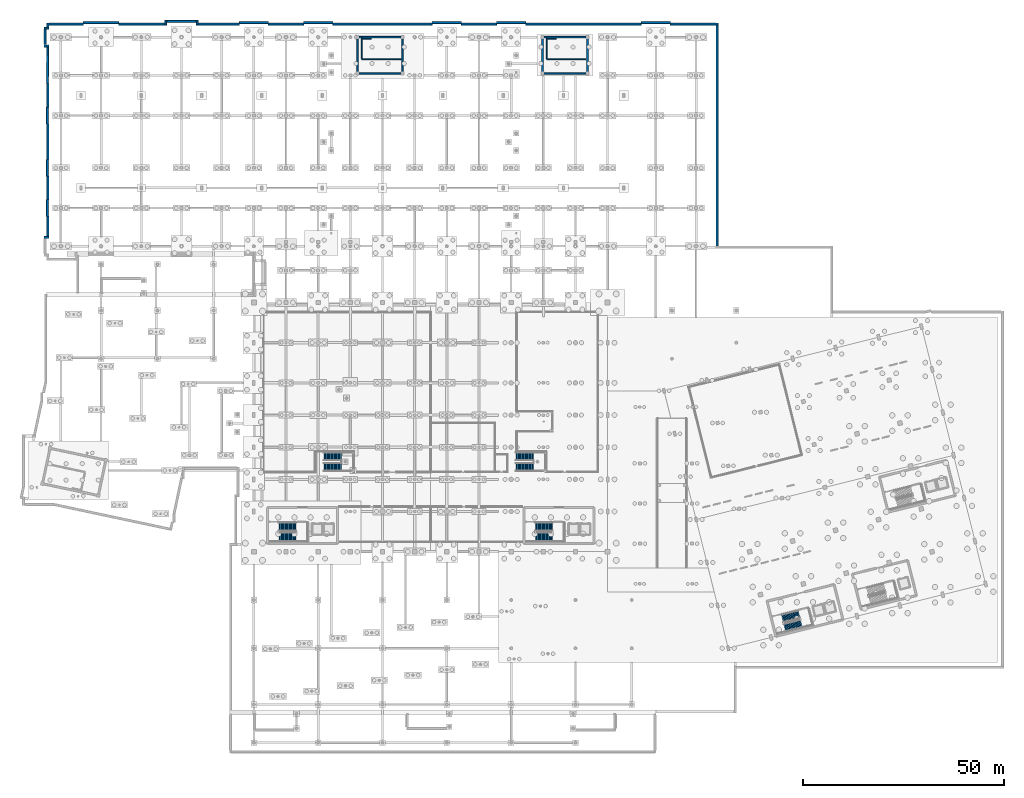
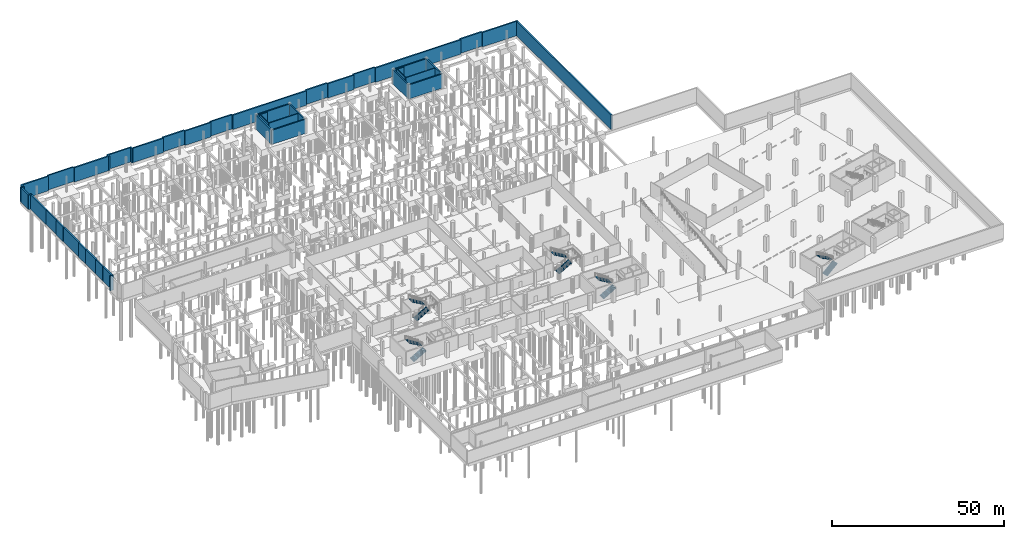
# One storey, part 57 of 65: 45 walls, 10 stair flights, 5 elements without a shape of their own.
"""IFC4 building model written with IfcOpenShell, lengths in metres."""

from ifc_helpers import new_model, si_unit, direction, frame, frame_2d, origin, place, context, subcontext, project, spatial, polyline, rectangle, outline, extrude, material, layer, layer_set, type_object, element, aggregate, save


model = new_model("IFC4")

# Units and contexts
model_context = context("Model", 3, precision=1e-05, world=origin(), true_north=direction((0.0, 1.0)))
body_context = subcontext(model_context, "Body", "Model", "MODEL_VIEW")
ifc_project = project(units=[si_unit("LENGTHUNIT", "METRE"), si_unit("AREAUNIT", "SQUARE_METRE"), si_unit("VOLUMEUNIT", "CUBIC_METRE"), si_unit("PLANEANGLEUNIT", "RADIAN"), si_unit("MASSUNIT", "GRAM", prefix="KILO")], contexts=[model_context])

# Site, building, storey
site_placement = place(None, origin())
site = spatial("IfcSite", under=ifc_project, at=site_placement, CompositionType="ELEMENT")
building_placement = place(site_placement, origin())
building = spatial("IfcBuilding", under=site, at=building_placement, Name="Khorjan Park Terminus", CompositionType="ELEMENT")
storey_placement = place(building_placement, frame((0.0, 0.0, -5.4)))
storey = spatial("IfcBuildingStorey", under=building, at=storey_placement, Name="B1", CompositionType="ELEMENT", Elevation=-5.4)

# Walls
ifc_material_1 = material(Name="Concrete C50/60", Category="concrete")
ifc_layer_1 = layer(ifc_material_1, 0.4)
ifc_layer_set_1 = layer_set([ifc_layer_1], Name="Concrete C50/60")
wall_type_1 = type_object("IfcWallType", Name="CW-40", PredefinedType="SHEAR", material=ifc_layer_set_1)
wall_1_placement = place(storey_placement, frame((85.0, 154.0, 0.0), z_axis=(0.0, 0.0, 1.0), x_axis=(-1.0, 0.0, 0.0)))
element("IfcWall", 1, at=wall_1_placement, inside=storey, type_object=wall_type_1, Name="West Transfer Bridge Exit Core substructure shear wall CW-40 (B1-E1)", PredefinedType="SHEAR", context=body_context, shape_type="SweptSolid", body=[
    extrude(rectangle(XDim=11.2, YDim=0.4, at=frame_2d((5.6, 0.0))), origin(), (0.0, 0.0, 1.0), 5.02),
])
wall_2_placement = place(storey_placement, frame((73.8, 154.0, 0.0), z_axis=(0.0, 0.0, 1.0), x_axis=(0.0, -1.0, 0.0)))
element("IfcWall", 2, at=wall_2_placement, inside=storey, type_object=wall_type_1, Name="West Transfer Bridge Exit Core substructure shear wall CW-40 (B1-E2)", PredefinedType="SHEAR", context=body_context, shape_type="SweptSolid", body=[
    extrude(rectangle(XDim=9.0, YDim=0.4, at=frame_2d((4.5, 0.0))), origin(), (0.0, 0.0, 1.0), 5.02),
])
wall_3_placement = place(storey_placement, frame((73.8, 145.0, 0.0), z_axis=(0.0, 0.0, 1.0), x_axis=(1.0, 0.0, 0.0)))
element("IfcWall", 3, at=wall_3_placement, inside=storey, type_object=wall_type_1, Name="West Transfer Bridge Exit Core substructure shear wall CW-40 (B1-E3)", PredefinedType="SHEAR", context=body_context, shape_type="SweptSolid", body=[
    extrude(rectangle(XDim=11.2, YDim=0.4, at=frame_2d((5.6, 0.0))), origin(), (0.0, 0.0, 1.0), 5.02),
])
wall_4_placement = place(storey_placement, frame((85.0, 145.0, 0.0), z_axis=(0.0, 0.0, 1.0), x_axis=(0.0, 1.0, 0.0)))
element("IfcWall", 4, at=wall_4_placement, inside=storey, type_object=wall_type_1, Name="West Transfer Bridge Exit Core substructure shear wall CW-40 (B1-E4)", PredefinedType="SHEAR", context=body_context, shape_type="SweptSolid", body=[
    extrude(rectangle(XDim=9.0, YDim=0.4, at=frame_2d((4.5, 0.0))), origin(), (0.0, 0.0, 1.0), 5.02),
])
wall_5_placement = place(storey_placement, frame((131.0, 154.0, 0.0), z_axis=(0.0, 0.0, 1.0), x_axis=(-1.0, 0.0, 0.0)))
element("IfcWall", 5, at=wall_5_placement, inside=storey, type_object=wall_type_1, Name="East Transfer Bridge Exit Core substructure shear wall CW-40 (B1-E1)", PredefinedType="SHEAR", context=body_context, shape_type="SweptSolid", body=[
    extrude(rectangle(XDim=11.2, YDim=0.4, at=frame_2d((5.6, 0.0))), origin(), (0.0, 0.0, 1.0), 5.02),
])
wall_6_placement = place(storey_placement, frame((119.8, 154.0, 0.0), z_axis=(0.0, 0.0, 1.0), x_axis=(0.0, -1.0, 0.0)))
element("IfcWall", 6, at=wall_6_placement, inside=storey, type_object=wall_type_1, Name="East Transfer Bridge Exit Core substructure shear wall CW-40 (B1-E2)", PredefinedType="SHEAR", context=body_context, shape_type="SweptSolid", body=[
    extrude(rectangle(XDim=9.0, YDim=0.4, at=frame_2d((4.5, 0.0))), origin(), (0.0, 0.0, 1.0), 5.02),
])
wall_7_placement = place(storey_placement, frame((119.8, 145.0, 0.0), z_axis=(0.0, 0.0, 1.0), x_axis=(1.0, 0.0, 0.0)))
element("IfcWall", 7, at=wall_7_placement, inside=storey, type_object=wall_type_1, Name="East Transfer Bridge Exit Core substructure shear wall CW-40 (B1-E3)", PredefinedType="SHEAR", context=body_context, shape_type="SweptSolid", body=[
    extrude(rectangle(XDim=11.2, YDim=0.4, at=frame_2d((5.6, 0.0))), origin(), (0.0, 0.0, 1.0), 5.02),
])
wall_8_placement = place(storey_placement, frame((131.0, 145.0, 0.0), z_axis=(0.0, 0.0, 1.0), x_axis=(0.0, 1.0, 0.0)))
element("IfcWall", 8, at=wall_8_placement, inside=storey, type_object=wall_type_1, Name="East Transfer Bridge Exit Core substructure shear wall CW-40 (B1-E4)", PredefinedType="SHEAR", context=body_context, shape_type="SweptSolid", body=[
    extrude(rectangle(XDim=9.0, YDim=0.4, at=frame_2d((4.5, 0.0))), origin(), (0.0, 0.0, 1.0), 5.02),
])
ifc_material_2 = material(Name="Concrete C40/50", Category="concrete")
ifc_layer_2 = layer(ifc_material_2, 0.48)
ifc_layer_set_2 = layer_set([ifc_layer_2], Name="Concrete C40/50")
wall_type_2 = type_object("IfcWallType", Name="RW-48", PredefinedType="SOLIDWALL", material=ifc_layer_set_2)
wall_9_placement = place(storey_placement, frame((-4.16, 104.21, 0.0), z_axis=(0.0, 0.0, 1.0), x_axis=(1.0, 0.0, 0.0)))
element("IfcWall", 9, at=wall_9_placement, inside=storey, type_object=wall_type_2, Name="Perimeter substructure concrete retaining wall RW-48 (20)", PredefinedType="SOLIDWALL", context=body_context, shape_type="SweptSolid", body=[
    extrude(rectangle(XDim=1.14, YDim=0.48, at=frame_2d((0.57, 0.0))), origin(), (0.0, 0.0, 1.0), 5.12),
])
wall_10_placement = place(storey_placement, frame((-3.26, 104.45, 0.0), z_axis=(0.0, 0.0, 1.0), x_axis=(0.0, 1.0, 0.0)))
element("IfcWall", 10, at=wall_10_placement, inside=storey, type_object=wall_type_2, Name="Perimeter substructure concrete retaining wall RW-48 (21)", PredefinedType="SOLIDWALL", context=body_context, shape_type="SweptSolid", body=[
    extrude(rectangle(XDim=4.99, YDim=0.48, at=frame_2d((2.495, 0.0))), origin(), (0.0, 0.0, 1.0), 5.12),
])
wall_11_placement = place(storey_placement, frame((-3.343, 109.44, 0.0), z_axis=(0.0, 0.0, 1.0), x_axis=(0.0, 1.0, 0.0)))
element("IfcWall", 11, at=wall_11_placement, inside=storey, type_object=wall_type_2, Name="Perimeter substructure concrete retaining wall RW-48 (22)", PredefinedType="SOLIDWALL", context=body_context, shape_type="SweptSolid", body=[
    extrude(rectangle(XDim=4.12, YDim=0.48, at=frame_2d((2.06, 0.0))), origin(), (0.0, 0.0, 1.0), 5.12),
])
wall_12_placement = place(storey_placement, frame((-3.26, 113.56, 0.0), z_axis=(0.0, 0.0, 1.0), x_axis=(0.0, 1.0, 0.0)))
element("IfcWall", 12, at=wall_12_placement, inside=storey, type_object=wall_type_2, Name="Perimeter substructure concrete retaining wall RW-48 (23)", PredefinedType="SOLIDWALL", context=body_context, shape_type="SweptSolid", body=[
    extrude(rectangle(XDim=5.88, YDim=0.48, at=frame_2d((2.94, 0.0))), origin(), (0.0, 0.0, 1.0), 5.12),
])
wall_13_placement = place(storey_placement, frame((-3.343, 119.44, 0.0), z_axis=(0.0, 0.0, 1.0), x_axis=(0.0, 1.0, 0.0)))
element("IfcWall", 13, at=wall_13_placement, inside=storey, type_object=wall_type_2, Name="Perimeter substructure concrete retaining wall RW-48 (24)", PredefinedType="SOLIDWALL", context=body_context, shape_type="SweptSolid", body=[
    extrude(rectangle(XDim=4.12, YDim=0.48, at=frame_2d((2.06, 0.0))), origin(), (0.0, 0.0, 1.0), 5.12),
])
wall_14_placement = place(storey_placement, frame((-3.26, 123.56, 0.0), z_axis=(0.0, 0.0, 1.0), x_axis=(0.0, 1.0, 0.0)))
element("IfcWall", 14, at=wall_14_placement, inside=storey, type_object=wall_type_2, Name="Perimeter substructure concrete retaining wall RW-48 (25)", PredefinedType="SOLIDWALL", context=body_context, shape_type="SweptSolid", body=[
    extrude(rectangle(XDim=8.88, YDim=0.48, at=frame_2d((4.44, 0.0))), origin(), (0.0, 0.0, 1.0), 5.12),
])
wall_15_placement = place(storey_placement, frame((-3.343, 132.44, 0.0), z_axis=(0.0, 0.0, 1.0), x_axis=(0.0, 1.0, 0.0)))
element("IfcWall", 15, at=wall_15_placement, inside=storey, type_object=wall_type_2, Name="Perimeter substructure concrete retaining wall RW-48 (26)", PredefinedType="SOLIDWALL", context=body_context, shape_type="SweptSolid", body=[
    extrude(rectangle(XDim=4.12, YDim=0.48, at=frame_2d((2.06, 0.0))), origin(), (0.0, 0.0, 1.0), 5.12),
])
wall_16_placement = place(storey_placement, frame((-3.26, 136.56, 0.0), z_axis=(0.0, 0.0, 1.0), x_axis=(0.0, 1.0, 0.0)))
element("IfcWall", 16, at=wall_16_placement, inside=storey, type_object=wall_type_2, Name="Perimeter substructure concrete retaining wall RW-48 (27)", PredefinedType="SOLIDWALL", context=body_context, shape_type="SweptSolid", body=[
    extrude(rectangle(XDim=5.88, YDim=0.48, at=frame_2d((2.94, 0.0))), origin(), (0.0, 0.0, 1.0), 5.12),
])
wall_17_placement = place(storey_placement, frame((-3.3409, 142.44, 0.0), z_axis=(0.0, 0.0, 1.0), x_axis=(0.00888204842, 0.99996055383, 0.0)))
element("IfcWall", 17, at=wall_17_placement, inside=storey, type_object=wall_type_2, Name="Perimeter substructure concrete retaining wall RW-48 (28)", PredefinedType="SOLIDWALL", context=body_context, shape_type="SweptSolid", body=[
    extrude(rectangle(XDim=9.1083, YDim=0.48, at=frame_2d((4.5541, 0.0))), origin(), (0.0, 0.0, 1.0), 5.12),
])
wall_18_placement = place(storey_placement, frame((-3.0157, 151.79, 0.0), z_axis=(0.0, 0.0, 1.0), x_axis=(-1.0, 0.0, 0.0)))
element("IfcWall", 18, at=wall_18_placement, inside=storey, type_object=wall_type_2, Name="Perimeter substructure concrete retaining wall RW-48 (29)", PredefinedType="SOLIDWALL", context=body_context, shape_type="SweptSolid", body=[
    extrude(rectangle(XDim=1.1443, YDim=0.48, at=frame_2d((0.5722, 0.0))), origin(), (0.0, 0.0, 1.0), 5.12),
])
wall_19_placement = place(storey_placement, frame((-3.92, 152.03, 0.0), z_axis=(0.0, 0.0, 1.0), x_axis=(0.0, 1.0, 0.0)))
element("IfcWall", 19, at=wall_19_placement, inside=storey, type_object=wall_type_2, Name="Perimeter substructure concrete retaining wall RW-48 (30)", PredefinedType="SOLIDWALL", context=body_context, shape_type="SweptSolid", body=[
    extrude(rectangle(XDim=3.94, YDim=0.48, at=frame_2d((1.97, 0.0))), origin(), (0.0, 0.0, 1.0), 5.12),
])
wall_20_placement = place(storey_placement, frame((-4.16, 156.21, 0.0), z_axis=(0.0, 0.0, 1.0), x_axis=(1.0, 0.0, 0.0)))
element("IfcWall", 20, at=wall_20_placement, inside=storey, type_object=wall_type_2, Name="Perimeter substructure concrete retaining wall RW-48 (31)", PredefinedType="SOLIDWALL", context=body_context, shape_type="SweptSolid", body=[
    extrude(rectangle(XDim=1.14, YDim=0.48, at=frame_2d((0.57, 0.0))), origin(), (0.0, 0.0, 1.0), 5.12),
])
wall_21_placement = place(storey_placement, frame((-3.26, 156.45, 0.0), z_axis=(0.0, 0.0, 1.0), x_axis=(0.0, 1.0, 0.0)))
element("IfcWall", 21, at=wall_21_placement, inside=storey, type_object=wall_type_2, Name="Perimeter substructure concrete retaining wall RW-48 (32)", PredefinedType="SOLIDWALL", context=body_context, shape_type="SweptSolid", body=[
    extrude(rectangle(XDim=1.05, YDim=0.48, at=frame_2d((0.525, 0.0))), origin(), (0.0, 0.0, 1.0), 5.12),
])
wall_22_placement = place(storey_placement, frame((-3.02, 157.26, 0.0), z_axis=(0.0, 0.0, 1.0), x_axis=(1.0, 0.0, 0.0)))
element("IfcWall", 22, at=wall_22_placement, inside=storey, type_object=wall_type_2, Name="Perimeter substructure concrete retaining wall RW-48 (33)", PredefinedType="SOLIDWALL", context=body_context, shape_type="SweptSolid", body=[
    extrude(rectangle(XDim=8.63, YDim=0.48, at=frame_2d((4.315, 0.0))), origin(), (0.0, 0.0, 1.0), 5.12),
])
wall_23_placement = place(storey_placement, frame((5.61, 157.631, 0.0), z_axis=(0.0, 0.0, 1.0), x_axis=(1.0, 0.0, 0.0)))
element("IfcWall", 23, at=wall_23_placement, inside=storey, type_object=wall_type_2, Name="Perimeter substructure concrete retaining wall RW-48 (34)", PredefinedType="SOLIDWALL", context=body_context, shape_type="SweptSolid", body=[
    extrude(rectangle(XDim=8.78, YDim=0.48, at=frame_2d((4.39, 0.0))), origin(), (0.0, 0.0, 1.0), 5.12),
])
wall_24_placement = place(storey_placement, frame((14.39, 157.26, 0.0), z_axis=(0.0, 0.0, 1.0), x_axis=(1.0, 0.0, 0.0)))
element("IfcWall", 24, at=wall_24_placement, inside=storey, type_object=wall_type_2, Name="Perimeter substructure concrete retaining wall RW-48 (35)", PredefinedType="SOLIDWALL", context=body_context, shape_type="SweptSolid", body=[
    extrude(rectangle(XDim=11.45, YDim=0.48, at=frame_2d((5.725, 0.0))), origin(), (0.0, 0.0, 1.0), 5.12),
])
wall_25_placement = place(storey_placement, frame((26.08, 157.02, 0.0), z_axis=(0.0, 0.0, 1.0), x_axis=(0.0, 1.0, 0.0)))
element("IfcWall", 25, at=wall_25_placement, inside=storey, type_object=wall_type_2, Name="Perimeter substructure concrete retaining wall RW-48 (36)", PredefinedType="SOLIDWALL", context=body_context, shape_type="SweptSolid", body=[
    extrude(rectangle(XDim=1.14, YDim=0.48, at=frame_2d((0.57, 0.0))), origin(), (0.0, 0.0, 1.0), 5.12),
])
wall_26_placement = place(storey_placement, frame((26.32, 157.92, 0.0), z_axis=(0.0, 0.0, 1.0), x_axis=(1.0, 0.0, 0.0)))
element("IfcWall", 26, at=wall_26_placement, inside=storey, type_object=wall_type_2, Name="Perimeter substructure concrete retaining wall RW-48 (37)", PredefinedType="SOLIDWALL", context=body_context, shape_type="SweptSolid", body=[
    extrude(rectangle(XDim=7.36, YDim=0.48, at=frame_2d((3.68, 0.0))), origin(), (0.0, 0.0, 1.0), 5.12),
])
wall_27_placement = place(storey_placement, frame((33.92, 158.16, 0.0), z_axis=(0.0, 0.0, 1.0), x_axis=(0.0, -1.0, 0.0)))
element("IfcWall", 27, at=wall_27_placement, inside=storey, type_object=wall_type_2, Name="Perimeter substructure concrete retaining wall RW-48 (38)", PredefinedType="SOLIDWALL", context=body_context, shape_type="SweptSolid", body=[
    extrude(rectangle(XDim=1.14, YDim=0.48, at=frame_2d((0.57, 0.0))), origin(), (0.0, 0.0, 1.0), 5.12),
])
wall_28_placement = place(storey_placement, frame((34.16, 157.26, 0.0), z_axis=(0.0, 0.0, 1.0), x_axis=(1.0, 0.0, 0.0)))
element("IfcWall", 28, at=wall_28_placement, inside=storey, type_object=wall_type_2, Name="Perimeter substructure concrete retaining wall RW-48 (39)", PredefinedType="SOLIDWALL", context=body_context, shape_type="SweptSolid", body=[
    extrude(rectangle(XDim=10.209, YDim=0.48, at=frame_2d((5.1045, 0.0))), origin(), (0.0, 0.0, 1.0), 5.12),
])
wall_29_placement = place(storey_placement, frame((44.369, 157.631, 0.0), z_axis=(0.0, 0.0, 1.0), x_axis=(1.0, 0.0, 0.0)))
element("IfcWall", 29, at=wall_29_placement, inside=storey, type_object=wall_type_2, Name="Perimeter substructure concrete retaining wall RW-48 (40)", PredefinedType="SOLIDWALL", context=body_context, shape_type="SweptSolid", body=[
    extrude(rectangle(XDim=7.262, YDim=0.48, at=frame_2d((3.631, 0.0))), origin(), (0.0, 0.0, 1.0), 5.12),
])
wall_30_placement = place(storey_placement, frame((51.631, 157.26, 0.0), z_axis=(0.0, 0.0, 1.0), x_axis=(1.0, 0.0, 0.0)))
element("IfcWall", 30, at=wall_30_placement, inside=storey, type_object=wall_type_2, Name="Perimeter substructure concrete retaining wall RW-48 (41)", PredefinedType="SOLIDWALL", context=body_context, shape_type="SweptSolid", body=[
    extrude(rectangle(XDim=8.738, YDim=0.48, at=frame_2d((4.369, 0.0))), origin(), (0.0, 0.0, 1.0), 5.12),
])
wall_31_placement = place(storey_placement, frame((60.369, 157.631, 0.0), z_axis=(0.0, 0.0, 1.0), x_axis=(1.0, 0.0, 0.0)))
element("IfcWall", 31, at=wall_31_placement, inside=storey, type_object=wall_type_2, Name="Perimeter substructure concrete retaining wall RW-48 (42)", PredefinedType="SOLIDWALL", context=body_context, shape_type="SweptSolid", body=[
    extrude(rectangle(XDim=7.262, YDim=0.48, at=frame_2d((3.631, 0.0))), origin(), (0.0, 0.0, 1.0), 5.12),
])
wall_32_placement = place(storey_placement, frame((67.631, 157.26, 0.0), z_axis=(0.0, 0.0, 1.0), x_axis=(1.0, 0.0, 0.0)))
element("IfcWall", 32, at=wall_32_placement, inside=storey, type_object=wall_type_2, Name="Perimeter substructure concrete retaining wall RW-48 (43)", PredefinedType="SOLIDWALL", context=body_context, shape_type="SweptSolid", body=[
    extrude(rectangle(XDim=24.738, YDim=0.48, at=frame_2d((12.369, 0.0))), origin(), (0.0, 0.0, 1.0), 5.12),
])
wall_33_placement = place(storey_placement, frame((92.369, 157.631, 0.0), z_axis=(0.0, 0.0, 1.0), x_axis=(1.0, 0.0, 0.0)))
element("IfcWall", 33, at=wall_33_placement, inside=storey, type_object=wall_type_2, Name="Perimeter substructure concrete retaining wall RW-48 (44)", PredefinedType="SOLIDWALL", context=body_context, shape_type="SweptSolid", body=[
    extrude(rectangle(XDim=7.262, YDim=0.48, at=frame_2d((3.631, 0.0))), origin(), (0.0, 0.0, 1.0), 5.12),
])
wall_34_placement = place(storey_placement, frame((99.631, 157.26, 0.0), z_axis=(0.0, 0.0, 1.0), x_axis=(1.0, 0.0, 0.0)))
element("IfcWall", 34, at=wall_34_placement, inside=storey, type_object=wall_type_2, Name="Perimeter substructure concrete retaining wall RW-48 (45)", PredefinedType="SOLIDWALL", context=body_context, shape_type="SweptSolid", body=[
    extrude(rectangle(XDim=8.738, YDim=0.48, at=frame_2d((4.369, 0.0))), origin(), (0.0, 0.0, 1.0), 5.12),
])
wall_35_placement = place(storey_placement, frame((108.369, 157.631, 0.0), z_axis=(0.0, 0.0, 1.0), x_axis=(1.0, 0.0, 0.0)))
element("IfcWall", 35, at=wall_35_placement, inside=storey, type_object=wall_type_2, Name="Perimeter substructure concrete retaining wall RW-48 (46)", PredefinedType="SOLIDWALL", context=body_context, shape_type="SweptSolid", body=[
    extrude(rectangle(XDim=7.262, YDim=0.48, at=frame_2d((3.631, 0.0))), origin(), (0.0, 0.0, 1.0), 5.12),
])
wall_36_placement = place(storey_placement, frame((115.631, 157.26, 0.0), z_axis=(0.0, 0.0, 1.0), x_axis=(1.0, 0.0, 0.0)))
element("IfcWall", 36, at=wall_36_placement, inside=storey, type_object=wall_type_2, Name="Perimeter substructure concrete retaining wall RW-48 (47)", PredefinedType="SOLIDWALL", context=body_context, shape_type="SweptSolid", body=[
    extrude(rectangle(XDim=28.738, YDim=0.48, at=frame_2d((14.369, 0.0))), origin(), (0.0, 0.0, 1.0), 5.12),
])
wall_37_placement = place(storey_placement, frame((144.369, 157.631, 0.0), z_axis=(0.0, 0.0, 1.0), x_axis=(1.0, 0.0, 0.0)))
element("IfcWall", 37, at=wall_37_placement, inside=storey, type_object=wall_type_2, Name="Perimeter substructure concrete retaining wall RW-48 (48)", PredefinedType="SOLIDWALL", context=body_context, shape_type="SweptSolid", body=[
    extrude(rectangle(XDim=7.262, YDim=0.48, at=frame_2d((3.631, 0.0))), origin(), (0.0, 0.0, 1.0), 5.12),
])
wall_38_placement = place(storey_placement, frame((151.631, 157.26, 0.0), z_axis=(0.0, 0.0, 1.0), x_axis=(1.0, 0.0, 0.0)))
element("IfcWall", 38, at=wall_38_placement, inside=storey, type_object=wall_type_2, Name="Perimeter substructure concrete retaining wall RW-48 (49)", PredefinedType="SOLIDWALL", context=body_context, shape_type="SweptSolid", body=[
    extrude(rectangle(XDim=11.869, YDim=0.48, at=frame_2d((5.9345, 0.0))), origin(), (0.0, 0.0, 1.0), 5.12),
])
wall_39_placement = place(storey_placement, frame((163.26, 157.02, 0.0), z_axis=(0.0, 0.0, 1.0), x_axis=(0.0, -1.0, 0.0)))
element("IfcWall", 39, at=wall_39_placement, inside=storey, type_object=wall_type_2, Name="Perimeter substructure concrete retaining wall RW-48 (50)", PredefinedType="SOLIDWALL", context=body_context, shape_type="SweptSolid", body=[
    extrude(rectangle(XDim=55.02, YDim=0.48, at=frame_2d((27.51, 0.0))), origin(), (0.0, 0.0, 1.0), 5.12),
])
ifc_layer_3 = layer(ifc_material_2, 0.25)
ifc_layer_set_3 = layer_set([ifc_layer_3], Name="Concrete C40/50")
wall_type_3 = type_object("IfcWallType", Name="SW-25", PredefinedType="SOLIDWALL", material=ifc_layer_set_3)
wall_40_placement = place(storey_placement, frame((84.62, 148.565, 0.0), z_axis=(0.0, 0.0, 1.0), x_axis=(-1.0, 0.0, 0.0)))
element("IfcWall", 40, at=wall_40_placement, inside=storey, type_object=wall_type_3, Name="West Transfer Bridge Exit Core structural stairwell wall SW-25 (B1)", PredefinedType="SOLIDWALL", context=body_context, shape_type="SweptSolid", body=[
    extrude(rectangle(XDim=9.745, YDim=0.25, at=frame_2d((4.8725, 0.0))), origin(), (0.0, 0.0, 1.0), 4.98),
])
wall_41_placement = place(storey_placement, frame((74.875, 153.8, 0.0), z_axis=(0.0, 0.0, 1.0), x_axis=(0.0, -1.0, 0.0)))
element("IfcWall", 41, at=wall_41_placement, inside=storey, type_object=wall_type_3, Name="West Transfer Bridge Exit Core stairwell end bearing wall SW-25 (B1)", PredefinedType="SOLIDWALL", context=body_context, shape_type="SweptSolid", body=[
    extrude(rectangle(XDim=5.11, YDim=0.25, at=frame_2d((2.555, 0.0))), origin(), (0.0, 0.0, 1.0), 4.98),
])
wall_42_placement = place(storey_placement, frame((77.2, 153.575, 0.0), z_axis=(0.0, 0.0, 1.0), x_axis=(-1.0, 0.0, 0.0)))
element("IfcWall", 42, at=wall_42_placement, inside=storey, type_object=wall_type_3, Name="West Transfer Bridge Exit Core half-landing bearing wall SW-25 (B1)", PredefinedType="SOLIDWALL", context=body_context, shape_type="SweptSolid", body=[
    extrude(rectangle(XDim=2.2, YDim=0.25, at=frame_2d((1.1, 0.0))), origin(), (0.0, 0.0, 1.0), 4.98),
])
wall_43_placement = place(storey_placement, frame((130.62, 148.565, 0.0), z_axis=(0.0, 0.0, 1.0), x_axis=(-1.0, 0.0, 0.0)))
element("IfcWall", 43, at=wall_43_placement, inside=storey, type_object=wall_type_3, Name="East Transfer Bridge Exit Core structural stairwell wall SW-25 (B1)", PredefinedType="SOLIDWALL", context=body_context, shape_type="SweptSolid", body=[
    extrude(rectangle(XDim=9.745, YDim=0.25, at=frame_2d((4.8725, 0.0))), origin(), (0.0, 0.0, 1.0), 5.0),
])
wall_44_placement = place(storey_placement, frame((120.875, 153.8, 0.0), z_axis=(0.0, 0.0, 1.0), x_axis=(0.0, -1.0, 0.0)))
element("IfcWall", 44, at=wall_44_placement, inside=storey, type_object=wall_type_3, Name="East Transfer Bridge Exit Core stairwell end bearing wall SW-25 (B1)", PredefinedType="SOLIDWALL", context=body_context, shape_type="SweptSolid", body=[
    extrude(rectangle(XDim=5.11, YDim=0.25, at=frame_2d((2.555, 0.0))), origin(), (0.0, 0.0, 1.0), 5.0),
])
wall_45_placement = place(storey_placement, frame((123.2, 153.575, 0.0), z_axis=(0.0, 0.0, 1.0), x_axis=(-1.0, 0.0, 0.0)))
element("IfcWall", 45, at=wall_45_placement, inside=storey, type_object=wall_type_3, Name="East Transfer Bridge Exit Core half-landing bearing wall SW-25 (B1)", PredefinedType="SOLIDWALL", context=body_context, shape_type="SweptSolid", body=[
    extrude(rectangle(XDim=2.2, YDim=0.25, at=frame_2d((1.1, 0.0))), origin(), (0.0, 0.0, 1.0), 5.0),
])

# Stair, stair flights
stair_type_1 = type_object("IfcStairType", Name="STR-CORE-200", PredefinedType="HALF_TURN_STAIR", material=ifc_material_2)
stair_1_placement = place(storey_placement, origin())
stair_1 = element("IfcStair", 46, at=stair_1_placement, inside=storey, type_object=stair_type_1, Name="B1 Operations West Firefighting Core exit stair ST-03", PredefinedType="HALF_TURN_STAIR")
stair_flight_type_1 = type_object("IfcStairFlightType", Name="FLT-STC-20", PredefinedType="STRAIGHT", material=ifc_material_2)
stair_flight_1_placement = place(storey_placement, frame((180.0436, 7.0989, 0.0), z_axis=(0.0, 0.0, 1.0), x_axis=(0.970295726276, 0.2419218956, 0.0)))
stair_flight_1 = element("IfcStairFlight", 47, at=stair_flight_1_placement, type_object=stair_flight_type_1, Name="ST-03 flight 1", NumberOfRisers=16, NumberOfTreads=15, PredefinedType="STRAIGHT", RiserHeight=0.16875, TreadLength=0.285, context=body_context, shape_type="SweptSolid", body=[
    extrude(outline(polyline([(0.0, 0.0), (0.0, 0.1688), (0.285, 0.1688), (0.285, 0.3375), (0.57, 0.3375), (0.57, 0.5063), (0.855, 0.5063), (0.855, 0.675), (1.14, 0.675), (1.14, 0.8438), (1.425, 0.8438), (1.425, 1.0125), (1.71, 1.0125), (1.71, 1.1813), (1.995, 1.1813), (1.995, 1.35), (2.28, 1.35), (2.28, 1.5188), (2.565, 1.5188), (2.565, 1.6875), (2.85, 1.6875), (2.85, 1.8563), (3.135, 1.8563), (3.135, 2.025), (3.42, 2.025), (3.42, 2.1938), (3.705, 2.1938), (3.705, 2.3625), (3.99, 2.3625), (3.99, 2.5312), (4.275, 2.5312), (4.275, 2.7), (4.275, 2.3453), (0.314, 0.0), (0.0, 0.0)])), frame((0.0, 1.0, 0.0), z_axis=(0.0, -1.0, 0.0), x_axis=(1.0, 0.0, 0.0)), (0.0, 0.0, 1.0), 2.0),
])
stair_flight_2_placement = place(storey_placement, frame((183.6207, 10.423, 2.7), z_axis=(0.0, 0.0, 1.0), x_axis=(-0.970295726276, -0.2419218956, 0.0)))
stair_flight_2 = element("IfcStairFlight", 48, at=stair_flight_2_placement, type_object=stair_flight_type_1, Name="ST-03 flight 2", NumberOfRisers=16, NumberOfTreads=15, PredefinedType="STRAIGHT", RiserHeight=0.16875, TreadLength=0.285, context=body_context, shape_type="SweptSolid", body=[
    extrude(outline(polyline([(0.0, 0.0), (0.0, 0.1688), (0.285, 0.1688), (0.285, 0.3375), (0.57, 0.3375), (0.57, 0.5063), (0.855, 0.5063), (0.855, 0.675), (1.14, 0.675), (1.14, 0.8438), (1.425, 0.8438), (1.425, 1.0125), (1.71, 1.0125), (1.71, 1.1813), (1.995, 1.1813), (1.995, 1.35), (2.28, 1.35), (2.28, 1.5188), (2.565, 1.5188), (2.565, 1.6875), (2.85, 1.6875), (2.85, 1.8563), (3.135, 1.8563), (3.135, 2.025), (3.42, 2.025), (3.42, 2.1938), (3.705, 2.1938), (3.705, 2.3625), (3.99, 2.3625), (3.99, 2.5312), (4.275, 2.5312), (4.275, 2.7), (4.275, 2.3453), (0.314, 0.0), (0.0, 0.0)])), frame((0.0, 1.0, 0.0), z_axis=(0.0, -1.0, 0.0), x_axis=(1.0, 0.0, 0.0)), (0.0, 0.0, 1.0), 2.0),
])
aggregate(stair_1, [stair_flight_1, stair_flight_2])

stair_type_2 = type_object("IfcStairType", Name="STR-CORE-220", PredefinedType="HALF_TURN_STAIR", material=ifc_material_2)
stair_2_placement = place(storey_placement, origin())
stair_2 = element("IfcStair", 49, at=stair_2_placement, inside=storey, type_object=stair_type_2, Name="B1 West Concourse Core exit stair ST-01", PredefinedType="HALF_TURN_STAIR")
stair_flight_type_2 = type_object("IfcStairFlightType", Name="FLT-STC-22", PredefinedType="STRAIGHT", material=ifc_material_2)
stair_flight_3_placement = place(storey_placement, frame((54.26, 29.65, 0.0), z_axis=(0.0, 0.0, 1.0), x_axis=(1.0, 0.0, 0.0)))
stair_flight_3 = element("IfcStairFlight", 50, at=stair_flight_3_placement, type_object=stair_flight_type_2, Name="ST-01 flight 1", NumberOfRisers=16, NumberOfTreads=15, PredefinedType="STRAIGHT", RiserHeight=0.16875, TreadLength=0.285, context=body_context, shape_type="SweptSolid", body=[
    extrude(outline(polyline([(0.0, 0.0), (0.0, 0.1688), (0.285, 0.1688), (0.285, 0.3375), (0.57, 0.3375), (0.57, 0.5063), (0.855, 0.5063), (0.855, 0.675), (1.14, 0.675), (1.14, 0.8438), (1.425, 0.8438), (1.425, 1.0125), (1.71, 1.0125), (1.71, 1.1813), (1.995, 1.1813), (1.995, 1.35), (2.28, 1.35), (2.28, 1.5188), (2.565, 1.5188), (2.565, 1.6875), (2.85, 1.6875), (2.85, 1.8563), (3.135, 1.8563), (3.135, 2.025), (3.42, 2.025), (3.42, 2.1938), (3.705, 2.1938), (3.705, 2.3625), (3.99, 2.3625), (3.99, 2.5312), (4.275, 2.5312), (4.275, 2.7), (4.275, 2.3453), (0.314, 0.0), (0.0, 0.0)])), frame((0.0, 1.1, 0.0), z_axis=(0.0, -1.0, 0.0), x_axis=(1.0, 0.0, 0.0)), (0.0, 0.0, 1.0), 2.2),
])
stair_flight_4_placement = place(storey_placement, frame((58.535, 32.21, 2.7), z_axis=(0.0, 0.0, 1.0), x_axis=(-1.0, 0.0, 0.0)))
stair_flight_4 = element("IfcStairFlight", 51, at=stair_flight_4_placement, type_object=stair_flight_type_2, Name="ST-01 flight 2", NumberOfRisers=16, NumberOfTreads=15, PredefinedType="STRAIGHT", RiserHeight=0.16875, TreadLength=0.285, context=body_context, shape_type="SweptSolid", body=[
    extrude(outline(polyline([(0.0, 0.0), (0.0, 0.1688), (0.285, 0.1688), (0.285, 0.3375), (0.57, 0.3375), (0.57, 0.5063), (0.855, 0.5063), (0.855, 0.675), (1.14, 0.675), (1.14, 0.8438), (1.425, 0.8438), (1.425, 1.0125), (1.71, 1.0125), (1.71, 1.1813), (1.995, 1.1813), (1.995, 1.35), (2.28, 1.35), (2.28, 1.5188), (2.565, 1.5188), (2.565, 1.6875), (2.85, 1.6875), (2.85, 1.8563), (3.135, 1.8563), (3.135, 2.025), (3.42, 2.025), (3.42, 2.1938), (3.705, 2.1938), (3.705, 2.3625), (3.99, 2.3625), (3.99, 2.5312), (4.275, 2.5312), (4.275, 2.7), (4.275, 2.3453), (0.314, 0.0), (0.0, 0.0)])), frame((0.0, 1.1, 0.0), z_axis=(0.0, -1.0, 0.0), x_axis=(1.0, 0.0, 0.0)), (0.0, 0.0, 1.0), 2.2),
])
aggregate(stair_2, [stair_flight_3, stair_flight_4])

stair_3_placement = place(storey_placement, origin())
stair_3 = element("IfcStair", 52, at=stair_3_placement, inside=storey, type_object=stair_type_2, Name="B1 East Concourse Core exit stair ST-02", PredefinedType="HALF_TURN_STAIR")
stair_flight_5_placement = place(storey_placement, frame((118.06, 29.65, 0.0), z_axis=(0.0, 0.0, 1.0), x_axis=(1.0, 0.0, 0.0)))
stair_flight_5 = element("IfcStairFlight", 53, at=stair_flight_5_placement, type_object=stair_flight_type_2, Name="ST-02 flight 1", NumberOfRisers=16, NumberOfTreads=15, PredefinedType="STRAIGHT", RiserHeight=0.16875, TreadLength=0.285, context=body_context, shape_type="SweptSolid", body=[
    extrude(outline(polyline([(0.0, 0.0), (0.0, 0.1688), (0.285, 0.1688), (0.285, 0.3375), (0.57, 0.3375), (0.57, 0.5063), (0.855, 0.5063), (0.855, 0.675), (1.14, 0.675), (1.14, 0.8438), (1.425, 0.8438), (1.425, 1.0125), (1.71, 1.0125), (1.71, 1.1813), (1.995, 1.1813), (1.995, 1.35), (2.28, 1.35), (2.28, 1.5188), (2.565, 1.5188), (2.565, 1.6875), (2.85, 1.6875), (2.85, 1.8563), (3.135, 1.8563), (3.135, 2.025), (3.42, 2.025), (3.42, 2.1938), (3.705, 2.1938), (3.705, 2.3625), (3.99, 2.3625), (3.99, 2.5312), (4.275, 2.5312), (4.275, 2.7), (4.275, 2.3453), (0.314, 0.0), (0.0, 0.0)])), frame((0.0, 1.1, 0.0), z_axis=(0.0, -1.0, 0.0), x_axis=(1.0, 0.0, 0.0)), (0.0, 0.0, 1.0), 2.2),
])
stair_flight_6_placement = place(storey_placement, frame((122.335, 32.21, 2.7), z_axis=(0.0, 0.0, 1.0), x_axis=(-1.0, 0.0, 0.0)))
stair_flight_6 = element("IfcStairFlight", 54, at=stair_flight_6_placement, type_object=stair_flight_type_2, Name="ST-02 flight 2", NumberOfRisers=16, NumberOfTreads=15, PredefinedType="STRAIGHT", RiserHeight=0.16875, TreadLength=0.285, context=body_context, shape_type="SweptSolid", body=[
    extrude(outline(polyline([(0.0, 0.0), (0.0, 0.1688), (0.285, 0.1688), (0.285, 0.3375), (0.57, 0.3375), (0.57, 0.5063), (0.855, 0.5063), (0.855, 0.675), (1.14, 0.675), (1.14, 0.8438), (1.425, 0.8438), (1.425, 1.0125), (1.71, 1.0125), (1.71, 1.1813), (1.995, 1.1813), (1.995, 1.35), (2.28, 1.35), (2.28, 1.5188), (2.565, 1.5188), (2.565, 1.6875), (2.85, 1.6875), (2.85, 1.8563), (3.135, 1.8563), (3.135, 2.025), (3.42, 2.025), (3.42, 2.1938), (3.705, 2.1938), (3.705, 2.3625), (3.99, 2.3625), (3.99, 2.5312), (4.275, 2.5312), (4.275, 2.7), (4.275, 2.3453), (0.314, 0.0), (0.0, 0.0)])), frame((0.0, 1.1, 0.0), z_axis=(0.0, -1.0, 0.0), x_axis=(1.0, 0.0, 0.0)), (0.0, 0.0, 1.0), 2.2),
])
aggregate(stair_3, [stair_flight_5, stair_flight_6])

stair_type_3 = type_object("IfcStairType", Name="STR-PUB-200", PredefinedType="HALF_TURN_STAIR", material=ifc_material_2)
stair_4_placement = place(storey_placement, origin())
stair_4 = element("IfcStair", 55, at=stair_4_placement, inside=storey, type_object=stair_type_3, Name="Public passenger half-turn stair CS-01", PredefinedType="HALF_TURN_STAIR")
stair_flight_type_3 = type_object("IfcStairFlightType", Name="FLT-STP-20", PredefinedType="STRAIGHT", material=ifc_material_2)
stair_flight_7_placement = place(storey_placement, frame((65.4, 47.06, 0.0), z_axis=(0.0, 0.0, 1.0), x_axis=(1.0, 0.0, 0.0)))
stair_flight_7 = element("IfcStairFlight", 56, at=stair_flight_7_placement, type_object=stair_flight_type_3, Name="Stair CS-01 lower flight", NumberOfRisers=16, NumberOfTreads=15, PredefinedType="STRAIGHT", RiserHeight=0.16875, TreadLength=0.29, context=body_context, shape_type="SweptSolid", body=[
    extrude(outline(polyline([(0.0, 0.0), (0.0, 0.1688), (0.29, 0.1688), (0.29, 0.3375), (0.58, 0.3375), (0.58, 0.5063), (0.87, 0.5063), (0.87, 0.675), (1.16, 0.675), (1.16, 0.8438), (1.45, 0.8438), (1.45, 1.0125), (1.74, 1.0125), (1.74, 1.1813), (2.03, 1.1813), (2.03, 1.35), (2.32, 1.35), (2.32, 1.5188), (2.61, 1.5188), (2.61, 1.6875), (2.9, 1.6875), (2.9, 1.8563), (3.19, 1.8563), (3.19, 2.025), (3.48, 2.025), (3.48, 2.1938), (3.77, 2.1938), (3.77, 2.3625), (4.06, 2.3625), (4.06, 2.5312), (4.35, 2.5312), (4.35, 2.7), (4.35, 2.3461), (0.3181, 0.0), (0.0, 0.0)])), frame((0.0, 1.0, 0.0), z_axis=(0.0, -1.0, 0.0), x_axis=(1.0, 0.0, 0.0)), (0.0, 0.0, 1.0), 2.0),
])
stair_flight_8_placement = place(storey_placement, frame((69.75, 49.74, 2.7), z_axis=(0.0, 0.0, 1.0), x_axis=(-1.0, 0.0, 0.0)))
stair_flight_8 = element("IfcStairFlight", 57, at=stair_flight_8_placement, type_object=stair_flight_type_3, Name="Stair CS-01 upper flight", NumberOfRisers=16, NumberOfTreads=15, PredefinedType="STRAIGHT", RiserHeight=0.16875, TreadLength=0.29, context=body_context, shape_type="SweptSolid", body=[
    extrude(outline(polyline([(0.0, 0.0), (0.0, 0.1688), (0.29, 0.1688), (0.29, 0.3375), (0.58, 0.3375), (0.58, 0.5063), (0.87, 0.5063), (0.87, 0.675), (1.16, 0.675), (1.16, 0.8438), (1.45, 0.8438), (1.45, 1.0125), (1.74, 1.0125), (1.74, 1.1813), (2.03, 1.1813), (2.03, 1.35), (2.32, 1.35), (2.32, 1.5188), (2.61, 1.5188), (2.61, 1.6875), (2.9, 1.6875), (2.9, 1.8563), (3.19, 1.8563), (3.19, 2.025), (3.48, 2.025), (3.48, 2.1938), (3.77, 2.1938), (3.77, 2.3625), (4.06, 2.3625), (4.06, 2.5312), (4.35, 2.5312), (4.35, 2.7), (4.35, 2.3461), (0.3181, 0.0), (0.0, 0.0)])), frame((0.0, 1.0, 0.0), z_axis=(0.0, -1.0, 0.0), x_axis=(1.0, 0.0, 0.0)), (0.0, 0.0, 1.0), 2.0),
])
aggregate(stair_4, [stair_flight_7, stair_flight_8])

stair_5_placement = place(storey_placement, origin())
stair_5 = element("IfcStair", 58, at=stair_5_placement, inside=storey, type_object=stair_type_3, Name="Public passenger half-turn stair CS-02", PredefinedType="HALF_TURN_STAIR")
stair_flight_9_placement = place(storey_placement, frame((113.2, 47.06, 0.0), z_axis=(0.0, 0.0, 1.0), x_axis=(1.0, 0.0, 0.0)))
stair_flight_9 = element("IfcStairFlight", 59, at=stair_flight_9_placement, type_object=stair_flight_type_3, Name="Stair CS-02 lower flight", NumberOfRisers=16, NumberOfTreads=15, PredefinedType="STRAIGHT", RiserHeight=0.16875, TreadLength=0.29, context=body_context, shape_type="SweptSolid", body=[
    extrude(outline(polyline([(0.0, 0.0), (0.0, 0.1688), (0.29, 0.1688), (0.29, 0.3375), (0.58, 0.3375), (0.58, 0.5063), (0.87, 0.5063), (0.87, 0.675), (1.16, 0.675), (1.16, 0.8438), (1.45, 0.8438), (1.45, 1.0125), (1.74, 1.0125), (1.74, 1.1813), (2.03, 1.1813), (2.03, 1.35), (2.32, 1.35), (2.32, 1.5188), (2.61, 1.5188), (2.61, 1.6875), (2.9, 1.6875), (2.9, 1.8563), (3.19, 1.8563), (3.19, 2.025), (3.48, 2.025), (3.48, 2.1938), (3.77, 2.1938), (3.77, 2.3625), (4.06, 2.3625), (4.06, 2.5312), (4.35, 2.5312), (4.35, 2.7), (4.35, 2.3461), (0.3181, 0.0), (0.0, 0.0)])), frame((0.0, 1.0, 0.0), z_axis=(0.0, -1.0, 0.0), x_axis=(1.0, 0.0, 0.0)), (0.0, 0.0, 1.0), 2.0),
])
stair_flight_10_placement = place(storey_placement, frame((117.55, 49.74, 2.7), z_axis=(0.0, 0.0, 1.0), x_axis=(-1.0, 0.0, 0.0)))
stair_flight_10 = element("IfcStairFlight", 60, at=stair_flight_10_placement, type_object=stair_flight_type_3, Name="Stair CS-02 upper flight", NumberOfRisers=16, NumberOfTreads=15, PredefinedType="STRAIGHT", RiserHeight=0.16875, TreadLength=0.29, context=body_context, shape_type="SweptSolid", body=[
    extrude(outline(polyline([(0.0, 0.0), (0.0, 0.1688), (0.29, 0.1688), (0.29, 0.3375), (0.58, 0.3375), (0.58, 0.5063), (0.87, 0.5063), (0.87, 0.675), (1.16, 0.675), (1.16, 0.8438), (1.45, 0.8438), (1.45, 1.0125), (1.74, 1.0125), (1.74, 1.1813), (2.03, 1.1813), (2.03, 1.35), (2.32, 1.35), (2.32, 1.5188), (2.61, 1.5188), (2.61, 1.6875), (2.9, 1.6875), (2.9, 1.8563), (3.19, 1.8563), (3.19, 2.025), (3.48, 2.025), (3.48, 2.1938), (3.77, 2.1938), (3.77, 2.3625), (4.06, 2.3625), (4.06, 2.5312), (4.35, 2.5312), (4.35, 2.7), (4.35, 2.3461), (0.3181, 0.0), (0.0, 0.0)])), frame((0.0, 1.0, 0.0), z_axis=(0.0, -1.0, 0.0), x_axis=(1.0, 0.0, 0.0)), (0.0, 0.0, 1.0), 2.0),
])
aggregate(stair_5, [stair_flight_9, stair_flight_10])

save(model, "model.ifc")
